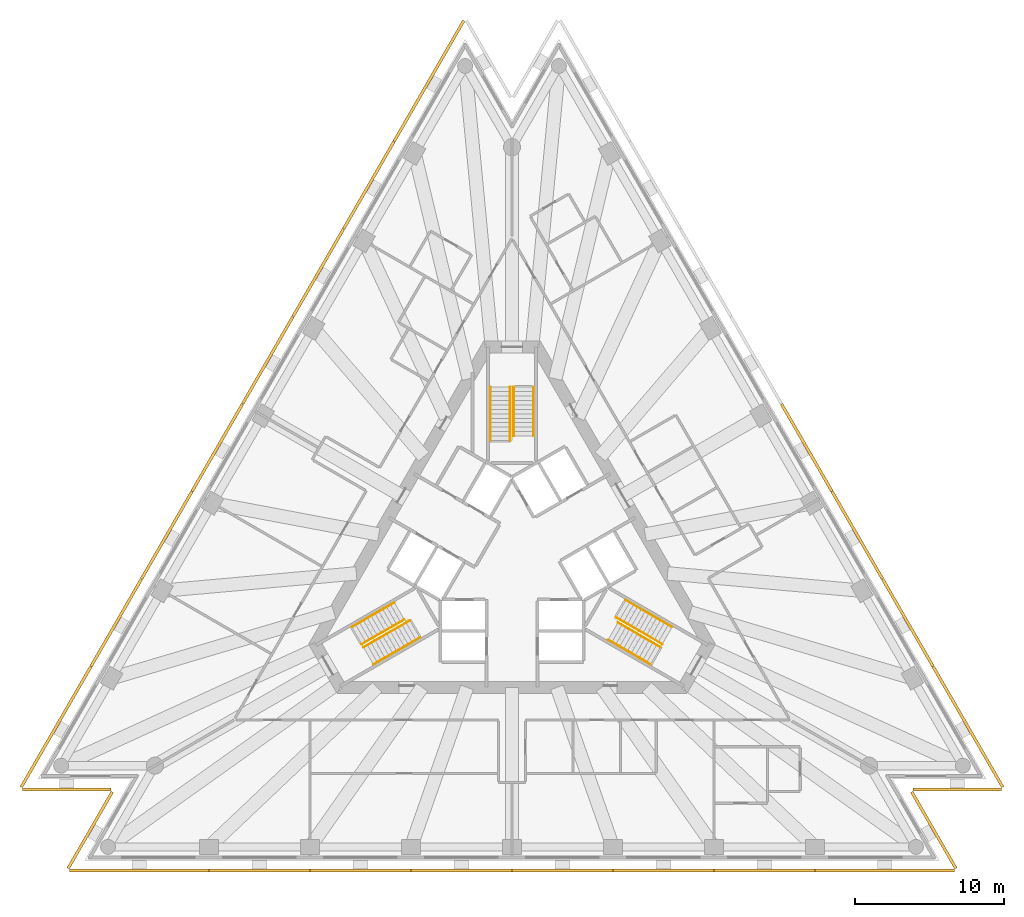
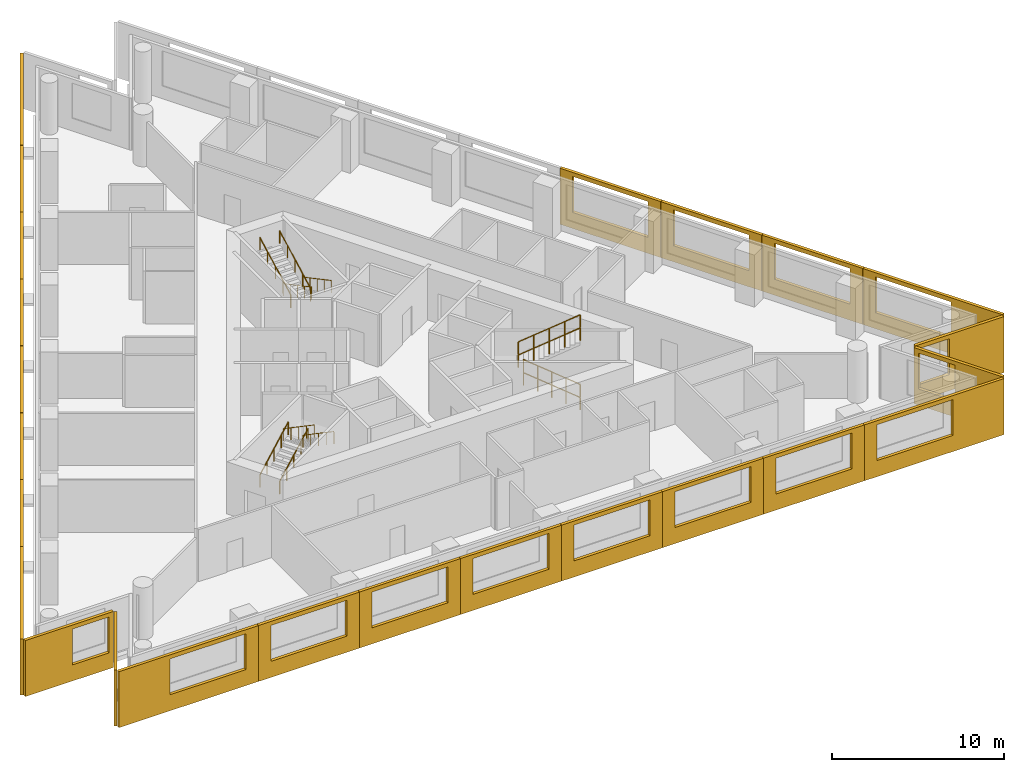
# One storey, part 8 of 9: 24 shading devices, 12 railings, 3 elements without a shape of their own.
"""IFC4 building model written with IfcOpenShell, lengths in metres."""

from ifc_helpers import new_model, si_unit, direction, frame, origin, origin_2d, place, context, subcontext, project, spatial, polyline, circle, outline, extrude, material, layer, layer_set, type_object, element, aggregate, save


model = new_model("IFC4")

# Units and contexts
model_context = context("Model", 3, precision=1e-05, world=origin(), true_north=direction((0.0, 1.0)))
body_context = subcontext(model_context, "Body", "Model", "MODEL_VIEW")
ifc_project = project(units=[si_unit("LENGTHUNIT", "METRE"), si_unit("AREAUNIT", "SQUARE_METRE"), si_unit("VOLUMEUNIT", "CUBIC_METRE"), si_unit("PLANEANGLEUNIT", "RADIAN"), si_unit("MASSUNIT", "GRAM", prefix="KILO")], contexts=[model_context])

# Site, building, storey
site_placement = place(None, origin())
site = spatial("IfcSite", under=ifc_project, at=site_placement, CompositionType="ELEMENT")
building_placement = place(site_placement, origin())
building = spatial("IfcBuilding", under=site, at=building_placement, Name="Triada Interchange Tower", CompositionType="ELEMENT")
storey_placement = place(building_placement, frame((0.0, 0.0, 136.300048828125)))
storey = spatial("IfcBuildingStorey", under=building, at=storey_placement, Name="L31", CompositionType="ELEMENT", Elevation=136.300048828125)

# Shading devices
ifc_material_1 = material(Name="Concrete C50/60 precast", Category="concrete")
ifc_layer_1 = layer(ifc_material_1, 0.02001953125, Name="Exposed aggregate face")
ifc_layer_2 = layer(ifc_material_1, 0.179931640625, Name="Precast concrete screen")
ifc_layer_set = layer_set([ifc_layer_1, ifc_layer_2], Name="Outer skin screen panel 3980")
shading_device_type = type_object("IfcShadingDeviceType", Name="Outer skin screen panel 3980", PredefinedType="SHUTTER", material=ifc_layer_set)
shading_device_1_placement = place(storey_placement, frame((-3.158935546875, 36.19189453125, -0.2900390625), z_axis=(0.0, 0.0, 1.0), x_axis=(-0.500022371132, -0.86601248742, 0.0)))
element("IfcShadingDevice", 1, at=shading_device_1_placement, inside=storey, type_object=shading_device_type, Name="Outer skin screen panel L31 01", PredefinedType="SHUTTER", context=body_context, shape_type="SweptSolid", body=[
    extrude(outline(polyline([(0.0, 0.0), (9.37158203125, 0.0), (9.37158203125, 3.97998046875), (0.0, 3.97998046875), (0.0, 0.0)]), holes=[polyline([(3.4345703125, 1.139892578125), (3.4345703125, 3.68994140625), (8.53466796875, 3.68994140625), (8.53466796875, 1.139892578125), (3.4345703125, 1.139892578125)])]), frame((0.0, 0.0, 0.0), z_axis=(0.0, -1.0, 0.0), x_axis=(1.0, 0.0, 0.0)), (0.0, 0.0, 1.0), 0.199951171875),
])
shading_device_2_placement = place(storey_placement, frame((-7.85498046875, 28.05908203125, -0.2900390625), z_axis=(0.0, 0.0, 1.0), x_axis=(-0.499949141057, -0.866054765218, 0.0)))
element("IfcShadingDevice", 2, at=shading_device_2_placement, inside=storey, type_object=shading_device_type, Name="Outer skin screen panel L31 02", PredefinedType="SHUTTER", context=body_context, shape_type="SweptSolid", body=[
    extrude(outline(polyline([(0.0, 0.0), (6.774658203125, 0.0), (6.774658203125, 3.97998046875), (0.0, 3.97998046875), (0.0, 0.0)]), holes=[polyline([(0.83642578125, 1.139892578125), (0.83642578125, 3.68994140625), (5.9365234375, 3.68994140625), (5.9365234375, 1.139892578125), (0.83642578125, 1.139892578125)])]), frame((0.0, 0.0, 0.0), z_axis=(0.0, -1.0, 0.0), x_axis=(1.0, 0.0, 0.0)), (0.0, 0.0, 1.0), 0.199951171875),
])
shading_device_3_placement = place(storey_placement, frame((-11.251953125, 22.175048828125, -0.2900390625), z_axis=(0.0, 0.0, 1.0), x_axis=(-0.499964745128, -0.866045757238, 0.0)))
element("IfcShadingDevice", 3, at=shading_device_3_placement, inside=storey, type_object=shading_device_type, Name="Outer skin screen panel L31 03", PredefinedType="SHUTTER", context=body_context, shape_type="SweptSolid", body=[
    extrude(outline(polyline([(0.0, 0.0), (6.7744140625, 0.0), (6.7744140625, 3.97998046875), (0.0, 3.97998046875), (0.0, 0.0)]), holes=[polyline([(0.836669921875, 1.139892578125), (0.836669921875, 3.68994140625), (5.9365234375, 3.68994140625), (5.9365234375, 1.139892578125), (0.836669921875, 1.139892578125)])]), frame((0.0, 0.0, 0.0), z_axis=(0.0, -1.0, 0.0), x_axis=(1.0, 0.0, 0.0)), (0.0, 0.0, 1.0), 0.199951171875),
])
shading_device_4_placement = place(storey_placement, frame((-14.64892578125, 16.291015625, -0.2900390625), z_axis=(0.0, 0.0, 1.0), x_axis=(-0.50002716953, -0.866009716881, 0.0)))
element("IfcShadingDevice", 4, at=shading_device_4_placement, inside=storey, type_object=shading_device_type, Name="Outer skin screen panel L31 04", PredefinedType="SHUTTER", context=body_context, shape_type="SweptSolid", body=[
    extrude(outline(polyline([(0.0, 0.0), (6.7734375, 0.0), (6.7734375, 3.97998046875), (0.0, 3.97998046875), (0.0, 0.0)]), holes=[polyline([(0.836669921875, 1.139892578125), (0.836669921875, 3.68994140625), (5.9365234375, 3.68994140625), (5.9365234375, 1.139892578125), (0.836669921875, 1.139892578125)])]), frame((0.0, 0.0, 0.0), z_axis=(0.0, -1.0, 0.0), x_axis=(1.0, 0.0, 0.0)), (0.0, 0.0, 1.0), 0.199951171875),
])
shading_device_5_placement = place(storey_placement, frame((-18.0458984375, 10.406982421875, -0.2900390625), z_axis=(0.0, 0.0, 1.0), x_axis=(-0.500054200212, -0.865994109016, 0.0)))
element("IfcShadingDevice", 5, at=shading_device_5_placement, inside=storey, type_object=shading_device_type, Name="Outer skin screen panel L31 05", PredefinedType="SHUTTER", context=body_context, shape_type="SweptSolid", body=[
    extrude(outline(polyline([(0.0, 0.0), (6.773681640625, 0.0), (6.773681640625, 3.97998046875), (0.0, 3.97998046875), (0.0, 0.0)]), holes=[polyline([(0.836669921875, 1.139892578125), (0.836669921875, 3.68994140625), (5.9365234375, 3.68994140625), (5.9365234375, 1.139892578125), (0.836669921875, 1.139892578125)])]), frame((0.0, 0.0, 0.0), z_axis=(0.0, -1.0, 0.0), x_axis=(1.0, 0.0, 0.0)), (0.0, 0.0, 1.0), 0.199951171875),
])
shading_device_6_placement = place(storey_placement, frame((-21.443115234375, 4.52392578125, -0.2900390625), z_axis=(0.0, 0.0, 1.0), x_axis=(-0.499964745128, -0.866045757238, 0.0)))
element("IfcShadingDevice", 6, at=shading_device_6_placement, inside=storey, type_object=shading_device_type, Name="Outer skin screen panel L31 06", PredefinedType="SHUTTER", context=body_context, shape_type="SweptSolid", body=[
    extrude(outline(polyline([(0.0, 0.0), (6.7744140625, 0.0), (6.7744140625, 3.97998046875), (0.0, 3.97998046875), (0.0, 0.0)]), holes=[polyline([(0.836669921875, 1.139892578125), (0.836669921875, 3.68994140625), (5.9365234375, 3.68994140625), (5.9365234375, 1.139892578125), (0.836669921875, 1.139892578125)])]), frame((0.0, 0.0, 0.0), z_axis=(0.0, -1.0, 0.0), x_axis=(1.0, 0.0, 0.0)), (0.0, 0.0, 1.0), 0.199951171875),
])
shading_device_7_placement = place(storey_placement, frame((-24.840087890625, -1.360107421875, -0.2900390625), z_axis=(0.0, 0.0, 1.0), x_axis=(-0.499964745128, -0.866045757238, 0.0)))
element("IfcShadingDevice", 7, at=shading_device_7_placement, inside=storey, type_object=shading_device_type, Name="Outer skin screen panel L31 07", PredefinedType="SHUTTER", context=body_context, shape_type="SweptSolid", body=[
    extrude(outline(polyline([(0.0, 0.0), (6.7744140625, 0.0), (6.7744140625, 3.97998046875), (0.0, 3.97998046875), (0.0, 0.0)]), holes=[polyline([(0.836669921875, 1.139892578125), (0.836669921875, 3.68994140625), (5.936767578125, 3.68994140625), (5.936767578125, 1.139892578125), (0.836669921875, 1.139892578125)])]), frame((0.0, 0.0, 0.0), z_axis=(0.0, -1.0, 0.0), x_axis=(1.0, 0.0, 0.0)), (0.0, 0.0, 1.0), 0.199951171875),
])
shading_device_8_placement = place(storey_placement, frame((-28.237060546875, -7.243896484375, -0.2900390625), z_axis=(0.0, 0.0, 1.0), x_axis=(-0.500011090606, -0.866019000526, 0.0)))
element("IfcShadingDevice", 8, at=shading_device_8_placement, inside=storey, type_object=shading_device_type, Name="Outer skin screen panel L31 08", PredefinedType="SHUTTER", context=body_context, shape_type="SweptSolid", body=[
    extrude(outline(polyline([(0.0, 0.0), (9.371826171875, 0.0), (9.371826171875, 3.97998046875), (0.0, 3.97998046875), (0.0, 0.0)]), holes=[polyline([(0.836669921875, 1.139892578125), (0.836669921875, 3.68994140625), (5.936767578125, 3.68994140625), (5.936767578125, 1.139892578125), (0.836669921875, 1.139892578125)])]), frame((0.0, 0.0, 0.0), z_axis=(0.0, -1.0, 0.0), x_axis=(1.0, 0.0, 0.0)), (0.0, 0.0, 1.0), 0.199951171875),
])
shading_device_9_placement = place(storey_placement, frame((-32.91796875, -15.368896484375, -0.2900390625), z_axis=(0.0, 0.0, 1.0), x_axis=(1.0, 0.0, 0.0)))
element("IfcShadingDevice", 9, at=shading_device_9_placement, inside=storey, type_object=shading_device_type, Name="Outer skin screen panel L31 09", PredefinedType="SHUTTER", context=body_context, shape_type="SweptSolid", body=[
    extrude(outline(polyline([(0.0, 0.0), (5.94091796875, 0.0), (5.94091796875, 3.97998046875), (0.0, 3.97998046875), (0.0, 0.0)]), holes=[polyline([(3.175048828125, 1.139892578125), (3.175048828125, 3.68994140625), (5.64111328125, 3.68994140625), (5.64111328125, 1.139892578125), (3.175048828125, 1.139892578125)])]), frame((0.0, 0.0, 0.0), z_axis=(0.0, -1.0, 0.0), x_axis=(1.0, 0.0, 0.0)), (0.0, 0.0, 1.0), 0.199951171875),
])
shading_device_10_placement = place(storey_placement, frame((-26.799072265625, -15.677978515625, -0.2900390625), z_axis=(0.0, 0.0, 1.0), x_axis=(-0.499935901642, -0.866062407826, 0.0)))
element("IfcShadingDevice", 10, at=shading_device_10_placement, inside=storey, type_object=shading_device_type, Name="Outer skin screen panel L31 10", PredefinedType="SHUTTER", context=body_context, shape_type="SweptSolid", body=[
    extrude(outline(polyline([(0.0, 0.0), (5.940673828125, 0.0), (5.940673828125, 3.97998046875), (0.0, 3.97998046875), (0.0, 0.0)]), holes=[polyline([(0.300048828125, 1.139892578125), (0.300048828125, 3.68994140625), (2.2578125, 3.68994140625), (2.2578125, 1.139892578125), (0.300048828125, 1.139892578125)])]), frame((0.0, 0.0, 0.0), z_axis=(0.0, -1.0, 0.0), x_axis=(1.0, 0.0, 0.0)), (0.0, 0.0, 1.0), 0.199951171875),
])
shading_device_11_placement = place(storey_placement, frame((-29.763916015625, -20.83203125, -0.2900390625), z_axis=(0.0, 0.0, 1.0), x_axis=(1.0, 0.0, 0.0)))
element("IfcShadingDevice", 11, at=shading_device_11_placement, inside=storey, type_object=shading_device_type, Name="Outer skin screen panel L31 11", PredefinedType="SHUTTER", context=body_context, shape_type="SweptSolid", body=[
    extrude(outline(polyline([(0.0, 0.0), (9.371826171875, 0.0), (9.371826171875, 3.97998046875), (0.0, 3.97998046875), (0.0, 0.0)]), holes=[polyline([(3.43505859375, 1.139892578125), (3.43505859375, 3.68994140625), (8.534912109375, 3.68994140625), (8.534912109375, 1.139892578125), (3.43505859375, 1.139892578125)])]), frame((0.0, 0.0, 0.0), z_axis=(0.0, -1.0, 0.0), x_axis=(1.0, 0.0, 0.0)), (0.0, 0.0, 1.0), 0.199951171875),
])
shading_device_12_placement = place(storey_placement, frame((-20.3720703125, -20.83203125, -0.2900390625), z_axis=(0.0, 0.0, 1.0), x_axis=(1.0, 0.0, 0.0)))
element("IfcShadingDevice", 12, at=shading_device_12_placement, inside=storey, type_object=shading_device_type, Name="Outer skin screen panel L31 12", PredefinedType="SHUTTER", context=body_context, shape_type="SweptSolid", body=[
    extrude(outline(polyline([(0.0, 0.0), (6.774169921875, 0.0), (6.774169921875, 3.97998046875), (0.0, 3.97998046875), (0.0, 0.0)]), holes=[polyline([(0.8369140625, 1.139892578125), (0.8369140625, 3.68994140625), (5.93701171875, 3.68994140625), (5.93701171875, 1.139892578125), (0.8369140625, 1.139892578125)])]), frame((0.0, 0.0, 0.0), z_axis=(0.0, -1.0, 0.0), x_axis=(1.0, 0.0, 0.0)), (0.0, 0.0, 1.0), 0.199951171875),
])
for number, where, z_axis, x_axis, name in (
    (13, (-13.577880859375, -20.83203125, -0.2900390625), (0.0, 0.0, 1.0), (1.0, 0.0, 0.0), "Outer skin screen panel L31 13"),
    (14, (-6.783935546875, -20.83203125, -0.2900390625), (0.0, 0.0, 1.0), (1.0, 0.0, 0.0), "Outer skin screen panel L31 14"),
    (15, (0.010009765625, -20.83203125, -0.2900390625), (0.0, 0.0, 1.0), (1.0, 0.0, 0.0), "Outer skin screen panel L31 15"),
    (16, (6.803955078125, -20.83203125, -0.2900390625), (0.0, 0.0, 1.0), (1.0, 0.0, 0.0), "Outer skin screen panel L31 16"),
):
    element("IfcShadingDevice", number, at=place(storey_placement, frame(where, z_axis=z_axis, x_axis=x_axis)), inside=storey, type_object=shading_device_type, Name=name, PredefinedType="SHUTTER", context=body_context, shape_type="SweptSolid", body=[
        extrude(outline(polyline([(0.0, 0.0), (6.77392578125, 0.0), (6.77392578125, 3.97998046875), (0.0, 3.97998046875), (0.0, 0.0)]), holes=[polyline([(0.8369140625, 1.139892578125), (0.8369140625, 3.68994140625), (5.93701171875, 3.68994140625), (5.93701171875, 1.139892578125), (0.8369140625, 1.139892578125)])]), frame((0.0, 0.0, 0.0), z_axis=(0.0, -1.0, 0.0), x_axis=(1.0, 0.0, 0.0)), (0.0, 0.0, 1.0), 0.199951171875),
    ])
shading_device_13_placement = place(storey_placement, frame((13.597900390625, -20.83203125, -0.2900390625), z_axis=(0.0, 0.0, 1.0), x_axis=(1.0, 0.0, 0.0)))
element("IfcShadingDevice", 17, at=shading_device_13_placement, inside=storey, type_object=shading_device_type, Name="Outer skin screen panel L31 17", PredefinedType="SHUTTER", context=body_context, shape_type="SweptSolid", body=[
    extrude(outline(polyline([(0.0, 0.0), (6.774169921875, 0.0), (6.774169921875, 3.97998046875), (0.0, 3.97998046875), (0.0, 0.0)]), holes=[polyline([(0.8369140625, 1.139892578125), (0.8369140625, 3.68994140625), (5.93701171875, 3.68994140625), (5.93701171875, 1.139892578125), (0.8369140625, 1.139892578125)])]), frame((0.0, 0.0, 0.0), z_axis=(0.0, -1.0, 0.0), x_axis=(1.0, 0.0, 0.0)), (0.0, 0.0, 1.0), 0.199951171875),
])
shading_device_14_placement = place(storey_placement, frame((20.39208984375, -20.83203125, -0.2900390625), z_axis=(0.0, 0.0, 1.0), x_axis=(1.0, 0.0, 0.0)))
element("IfcShadingDevice", 18, at=shading_device_14_placement, inside=storey, type_object=shading_device_type, Name="Outer skin screen panel L31 18", PredefinedType="SHUTTER", context=body_context, shape_type="SweptSolid", body=[
    extrude(outline(polyline([(0.0, 0.0), (9.371826171875, 0.0), (9.371826171875, 3.97998046875), (0.0, 3.97998046875), (0.0, 0.0)]), holes=[polyline([(0.8369140625, 1.139892578125), (0.8369140625, 3.68994140625), (5.93701171875, 3.68994140625), (5.93701171875, 1.139892578125), (0.8369140625, 1.139892578125)])]), frame((0.0, 0.0, 0.0), z_axis=(0.0, -1.0, 0.0), x_axis=(1.0, 0.0, 0.0)), (0.0, 0.0, 1.0), 0.199951171875),
])
shading_device_15_placement = place(storey_placement, frame((29.76904296875, -20.822998046875, -0.2900390625), z_axis=(0.0, 0.0, 1.0), x_axis=(-0.499935901642, 0.866062407826, 0.0)))
element("IfcShadingDevice", 19, at=shading_device_15_placement, inside=storey, type_object=shading_device_type, Name="Outer skin screen panel L31 19", PredefinedType="SHUTTER", context=body_context, shape_type="SweptSolid", body=[
    extrude(outline(polyline([(0.0, 0.0), (5.940673828125, 0.0), (5.940673828125, 3.97998046875), (0.0, 3.97998046875), (0.0, 0.0)]), holes=[polyline([(3.17529296875, 1.139892578125), (3.17529296875, 3.68994140625), (5.641357421875, 3.68994140625), (5.641357421875, 1.139892578125), (3.17529296875, 1.139892578125)])]), frame((0.0, 0.0, 0.0), z_axis=(0.0, -1.0, 0.0), x_axis=(1.0, 0.0, 0.0)), (0.0, 0.0, 1.0), 0.199951171875),
])
shading_device_16_placement = place(storey_placement, frame((26.97705078125, -15.368896484375, -0.2900390625), z_axis=(0.0, 0.0, 1.0), x_axis=(1.0, 0.0, 0.0)))
element("IfcShadingDevice", 20, at=shading_device_16_placement, inside=storey, type_object=shading_device_type, Name="Outer skin screen panel L31 20", PredefinedType="SHUTTER", context=body_context, shape_type="SweptSolid", body=[
    extrude(outline(polyline([(0.0, 0.0), (5.94091796875, 0.0), (5.94091796875, 3.97998046875), (0.0, 3.97998046875), (0.0, 0.0)]), holes=[polyline([(0.300048828125, 1.139892578125), (0.300048828125, 3.68994140625), (2.258056640625, 3.68994140625), (2.258056640625, 1.139892578125), (0.300048828125, 1.139892578125)])]), frame((0.0, 0.0, 0.0), z_axis=(0.0, -1.0, 0.0), x_axis=(1.0, 0.0, 0.0)), (0.0, 0.0, 1.0), 0.199951171875),
])
shading_device_17_placement = place(storey_placement, frame((32.923095703125, -15.360107421875, -0.2900390625), z_axis=(0.0, 0.0, 1.0), x_axis=(-0.500011090606, 0.866019000526, 0.0)))
element("IfcShadingDevice", 21, at=shading_device_17_placement, inside=storey, type_object=shading_device_type, Name="Outer skin screen panel L31 21", PredefinedType="SHUTTER", context=body_context, shape_type="SweptSolid", body=[
    extrude(outline(polyline([(0.0, 0.0), (9.371826171875, 0.0), (9.371826171875, 3.97998046875), (0.0, 3.97998046875), (0.0, 0.0)]), holes=[polyline([(3.435302734375, 1.139892578125), (3.435302734375, 3.68994140625), (8.535400390625, 3.68994140625), (8.535400390625, 1.139892578125), (3.435302734375, 1.139892578125)])]), frame((0.0, 0.0, 0.0), z_axis=(0.0, -1.0, 0.0), x_axis=(1.0, 0.0, 0.0)), (0.0, 0.0, 1.0), 0.199951171875),
])
for number, where, z_axis, x_axis, name in (
    (22, (28.22705078125, -7.22705078125, -0.2900390625), (0.0, 0.0, 1.0), (-0.499964745128, 0.866045757238, 0.0), "Outer skin screen panel L31 22"),
    (23, (24.830078125, -1.343017578125, -0.2900390625), (0.0, 0.0, 1.0), (-0.499964745128, 0.866045757238, 0.0), "Outer skin screen panel L31 23"),
):
    element("IfcShadingDevice", number, at=place(storey_placement, frame(where, z_axis=z_axis, x_axis=x_axis)), inside=storey, type_object=shading_device_type, Name=name, PredefinedType="SHUTTER", context=body_context, shape_type="SweptSolid", body=[
        extrude(outline(polyline([(0.0, 0.0), (6.7744140625, 0.0), (6.7744140625, 3.97998046875), (0.0, 3.97998046875), (0.0, 0.0)]), holes=[polyline([(0.83740234375, 1.139892578125), (0.83740234375, 3.68994140625), (5.937255859375, 3.68994140625), (5.937255859375, 1.139892578125), (0.83740234375, 1.139892578125)])]), frame((0.0, 0.0, 0.0), z_axis=(0.0, -1.0, 0.0), x_axis=(1.0, 0.0, 0.0)), (0.0, 0.0, 1.0), 0.199951171875),
    ])
shading_device_18_placement = place(storey_placement, frame((21.43310546875, 4.541015625, -0.2900390625), z_axis=(0.0, 0.0, 1.0), x_axis=(-0.500054200212, 0.865994109016, 0.0)))
element("IfcShadingDevice", 24, at=shading_device_18_placement, inside=storey, type_object=shading_device_type, Name="Outer skin screen panel L31 24", PredefinedType="SHUTTER", context=body_context, shape_type="SweptSolid", body=[
    extrude(outline(polyline([(0.0, 0.0), (6.773681640625, 0.0), (6.773681640625, 3.97998046875), (0.0, 3.97998046875), (0.0, 0.0)]), holes=[polyline([(0.83740234375, 1.139892578125), (0.83740234375, 3.68994140625), (5.937255859375, 3.68994140625), (5.937255859375, 1.139892578125), (0.83740234375, 1.139892578125)])]), frame((0.0, 0.0, 0.0), z_axis=(0.0, -1.0, 0.0), x_axis=(1.0, 0.0, 0.0)), (0.0, 0.0, 1.0), 0.199951171875),
])

# Stair, railings
ifc_material_2 = material(Name="Concrete C35/45", Category="concrete")
stair_type = type_object("IfcStairType", Name="HALF TURN STAIR 1400", PredefinedType="HALF_TURN_STAIR", material=ifc_material_2)
stair_1_placement = place(storey_placement, origin())
stair_1 = element("IfcStair", 25, at=stair_1_placement, inside=storey, type_object=stair_type, Name="Exit stair S29-1", PredefinedType="HALF_TURN_STAIR")
ifc_material_3 = material(Name="Stainless steel 1.4301", Category="steel")
railing_type = type_object("IfcRailingType", Name="STAIR HANDRAIL 900", PredefinedType="HANDRAIL", material=ifc_material_3)
railing_1_placement = place(storey_placement, frame((1.449951171875, 11.60009765625, 0.159912109375)))
railing_1 = element("IfcRailing", 26, at=railing_1_placement, type_object=railing_type, Name="Handrail S29-1 1W", PredefinedType="HANDRAIL", context=body_context, shape_type="SweptSolid", body=[
    extrude(circle(Radius=0.02392578125, at=origin_2d()), frame((0.0, 0.0, 0.8759765625), z_axis=(0.0, -0.882354748157, 0.47058484719), x_axis=(1.0, 0.0, 0.0)), (0.0, 0.0, 1.0), 3.739990234375),
    extrude(circle(Radius=0.02099609375, at=origin_2d()), origin(), (0.0, 0.0, 1.0), 0.851806640625),
    extrude(circle(Radius=0.02099609375, at=origin_2d()), frame((0.0, -0.824951171875, 0.43994140625)), (0.0, 0.0, 1.0), 0.851806640625),
    extrude(circle(Radius=0.02099609375, at=origin_2d()), frame((0.0, -1.64990234375, 0.8798828125)), (0.0, 0.0, 1.0), 0.851806640625),
    extrude(circle(Radius=0.02099609375, at=origin_2d()), frame((0.0, -2.47509765625, 1.320068359375)), (0.0, 0.0, 1.0), 0.851806640625),
    extrude(circle(Radius=0.02099609375, at=origin_2d()), frame((0.0, -3.300048828125, 1.760009765625)), (0.0, 0.0, 1.0), 0.851806640625),
])
railing_2_placement = place(storey_placement, frame((0.1201171875, 11.60009765625, 0.159912109375)))
railing_2 = element("IfcRailing", 27, at=railing_2_placement, type_object=railing_type, Name="Handrail S29-1 1C", PredefinedType="HANDRAIL", context=body_context, shape_type="SweptSolid", body=[
    extrude(circle(Radius=0.02392578125, at=origin_2d()), frame((0.0, 0.0, 0.8759765625), z_axis=(0.0, -0.882354748157, 0.47058484719), x_axis=(1.0, 0.0, 0.0)), (0.0, 0.0, 1.0), 3.739990234375),
    extrude(circle(Radius=0.02099609375, at=origin_2d()), origin(), (0.0, 0.0, 1.0), 0.851806640625),
    extrude(circle(Radius=0.02099609375, at=origin_2d()), frame((0.0, -0.824951171875, 0.43994140625)), (0.0, 0.0, 1.0), 0.851806640625),
    extrude(circle(Radius=0.02099609375, at=origin_2d()), frame((0.0, -1.64990234375, 0.8798828125)), (0.0, 0.0, 1.0), 0.851806640625),
    extrude(circle(Radius=0.02099609375, at=origin_2d()), frame((0.0, -2.47509765625, 1.320068359375)), (0.0, 0.0, 1.0), 0.851806640625),
    extrude(circle(Radius=0.02099609375, at=origin_2d()), frame((0.0, -3.300048828125, 1.760009765625)), (0.0, 0.0, 1.0), 0.851806640625),
])
railing_3_placement = place(storey_placement, frame((-1.449951171875, 8.0, 2.079833984375)))
railing_3 = element("IfcRailing", 28, at=railing_3_placement, type_object=railing_type, Name="Handrail S29-1 2W", PredefinedType="HANDRAIL", context=body_context, shape_type="SweptSolid", body=[
    extrude(circle(Radius=0.02392578125, at=origin_2d()), frame((0.0, 0.0, 0.8759765625), z_axis=(0.0, 0.882341346394, 0.470609974867), x_axis=(-1.0, 0.0, 0.0)), (0.0, 0.0, 1.0), 4.080078125),
    extrude(circle(Radius=0.02099609375, at=origin_2d()), origin(), (0.0, 0.0, 1.0), 0.851806640625),
    extrude(circle(Radius=0.02099609375, at=origin_2d()), frame((0.0, 0.89990234375, 0.47998046875)), (0.0, 0.0, 1.0), 0.851806640625),
    extrude(circle(Radius=0.02099609375, at=origin_2d()), frame((0.0, 1.800048828125, 0.9599609375)), (0.0, 0.0, 1.0), 0.851806640625),
    extrude(circle(Radius=0.02099609375, at=origin_2d()), frame((0.0, 2.7001953125, 1.440185546875)), (0.0, 0.0, 1.0), 0.851806640625),
    extrude(circle(Radius=0.02099609375, at=origin_2d()), frame((0.0, 3.60009765625, 1.920166015625)), (0.0, 0.0, 1.0), 0.851806640625),
])
railing_4_placement = place(storey_placement, frame((-0.1201171875, 8.0, 2.079833984375)))
railing_4 = element("IfcRailing", 29, at=railing_4_placement, type_object=railing_type, Name="Handrail S29-1 2C", PredefinedType="HANDRAIL", context=body_context, shape_type="SweptSolid", body=[
    extrude(circle(Radius=0.02392578125, at=origin_2d()), frame((0.0, 0.0, 0.8759765625), z_axis=(0.0, 0.882341346394, 0.470609974867), x_axis=(-1.0, 0.0, 0.0)), (0.0, 0.0, 1.0), 4.080078125),
    extrude(circle(Radius=0.02099609375, at=origin_2d()), origin(), (0.0, 0.0, 1.0), 0.851806640625),
    extrude(circle(Radius=0.02099609375, at=origin_2d()), frame((0.0, 0.89990234375, 0.47998046875)), (0.0, 0.0, 1.0), 0.851806640625),
    extrude(circle(Radius=0.02099609375, at=origin_2d()), frame((0.0, 1.800048828125, 0.9599609375)), (0.0, 0.0, 1.0), 0.851806640625),
    extrude(circle(Radius=0.02099609375, at=origin_2d()), frame((0.0, 2.7001953125, 1.440185546875)), (0.0, 0.0, 1.0), 0.851806640625),
    extrude(circle(Radius=0.02099609375, at=origin_2d()), frame((0.0, 3.60009765625, 1.920166015625)), (0.0, 0.0, 1.0), 0.851806640625),
])
aggregate(stair_1, [railing_1, railing_2, railing_3, railing_4])

stair_2_placement = place(storey_placement, origin())
stair_2 = element("IfcStair", 30, at=stair_2_placement, inside=storey, type_object=stair_type, Name="Exit stair S29-2", PredefinedType="HALF_TURN_STAIR")
railing_5_placement = place(storey_placement, frame((-10.77099609375, -4.5439453125, 0.159912109375)))
railing_5 = element("IfcRailing", 31, at=railing_5_placement, type_object=railing_type, Name="Handrail S29-2 1W", PredefinedType="HANDRAIL", context=body_context, shape_type="SweptSolid", body=[
    extrude(circle(Radius=0.02392578125, at=origin_2d()), frame((0.0, 0.0, 0.8759765625), z_axis=(0.764150854273, 0.441152526326, 0.470593158077), x_axis=(-0.499974350878, 0.866040211805, 0.0)), (0.0, 0.0, 1.0), 3.739990234375),
    extrude(circle(Radius=0.02099609375, at=origin_2d()), origin(), (0.0, 0.0, 1.0), 0.851806640625),
    extrude(circle(Radius=0.02099609375, at=origin_2d()), frame((0.71435546875, 0.41259765625, 0.43994140625)), (0.0, 0.0, 1.0), 0.851806640625),
    extrude(circle(Radius=0.02099609375, at=origin_2d()), frame((1.428955078125, 0.824951171875, 0.8798828125)), (0.0, 0.0, 1.0), 0.851806640625),
    extrude(circle(Radius=0.02099609375, at=origin_2d()), frame((2.1435546875, 1.2373046875, 1.320068359375)), (0.0, 0.0, 1.0), 0.851806640625),
    extrude(circle(Radius=0.02099609375, at=origin_2d()), frame((2.85791015625, 1.64990234375, 1.760009765625)), (0.0, 0.0, 1.0), 0.851806640625),
])
railing_6_placement = place(storey_placement, frame((-10.10595703125, -5.696044921875, 0.159912109375)))
railing_6 = element("IfcRailing", 32, at=railing_6_placement, type_object=railing_type, Name="Handrail S29-2 1C", PredefinedType="HANDRAIL", context=body_context, shape_type="SweptSolid", body=[
    extrude(circle(Radius=0.02392578125, at=origin_2d()), frame((0.0, 0.0, 0.8759765625), z_axis=(0.76412884773, 0.441205098395, 0.470579605611), x_axis=(-0.50002983664, 0.866008176907, 0.0)), (0.0, 0.0, 1.0), 3.739990234375),
    extrude(circle(Radius=0.02099609375, at=origin_2d()), origin(), (0.0, 0.0, 1.0), 0.851806640625),
    extrude(circle(Radius=0.02099609375, at=origin_2d()), frame((0.71435546875, 0.41259765625, 0.43994140625)), (0.0, 0.0, 1.0), 0.851806640625),
    extrude(circle(Radius=0.02099609375, at=origin_2d()), frame((1.428955078125, 0.8251953125, 0.8798828125)), (0.0, 0.0, 1.0), 0.851806640625),
    extrude(circle(Radius=0.02099609375, at=origin_2d()), frame((2.1435546875, 1.237548828125, 1.320068359375)), (0.0, 0.0, 1.0), 0.851806640625),
    extrude(circle(Radius=0.02099609375, at=origin_2d()), frame((2.85791015625, 1.650146484375, 1.760009765625)), (0.0, 0.0, 1.0), 0.851806640625),
])
railing_7_placement = place(storey_placement, frame((-6.202880859375, -5.256103515625, 2.079833984375)))
railing_7 = element("IfcRailing", 33, at=railing_7_placement, type_object=railing_type, Name="Handrail S29-2 2W", PredefinedType="HANDRAIL", context=body_context, shape_type="SweptSolid", body=[
    extrude(circle(Radius=0.02392578125, at=origin_2d()), frame((0.0, 0.0, 0.8759765625), z_axis=(-0.764189758314, -0.441090424232, 0.470588196769), x_axis=(0.499902469156, -0.866081705922, 0.0)), (0.0, 0.0, 1.0), 4.080322265625),
    extrude(circle(Radius=0.02099609375, at=origin_2d()), origin(), (0.0, 0.0, 1.0), 0.851806640625),
    extrude(circle(Radius=0.02099609375, at=origin_2d()), frame((-0.779541015625, -0.449951171875, 0.47998046875)), (0.0, 0.0, 1.0), 0.851806640625),
    extrude(circle(Radius=0.02099609375, at=origin_2d()), frame((-1.55908203125, -0.89990234375, 0.9599609375)), (0.0, 0.0, 1.0), 0.851806640625),
    extrude(circle(Radius=0.02099609375, at=origin_2d()), frame((-2.338623046875, -1.349853515625, 1.440185546875)), (0.0, 0.0, 1.0), 0.851806640625),
    extrude(circle(Radius=0.02099609375, at=origin_2d()), frame((-3.1181640625, -1.7998046875, 1.920166015625)), (0.0, 0.0, 1.0), 0.851806640625),
])
railing_8_placement = place(storey_placement, frame((-6.867919921875, -4.10400390625, 2.079833984375)))
railing_8 = element("IfcRailing", 34, at=railing_8_placement, type_object=railing_type, Name="Handrail S29-2 2C", PredefinedType="HANDRAIL", context=body_context, shape_type="SweptSolid", body=[
    extrude(circle(Radius=0.02392578125, at=origin_2d()), frame((0.0, 0.0, 0.8759765625), z_axis=(-0.764169589359, -0.441138614339, 0.470575776723), x_axis=(0.49995333141, -0.866052346231, 0.0)), (0.0, 0.0, 1.0), 4.08056640625),
    extrude(circle(Radius=0.02099609375, at=origin_2d()), origin(), (0.0, 0.0, 1.0), 0.851806640625),
    extrude(circle(Radius=0.02099609375, at=origin_2d()), frame((-0.779541015625, -0.449951171875, 0.47998046875)), (0.0, 0.0, 1.0), 0.851806640625),
    extrude(circle(Radius=0.02099609375, at=origin_2d()), frame((-1.55908203125, -0.89990234375, 0.9599609375)), (0.0, 0.0, 1.0), 0.851806640625),
    extrude(circle(Radius=0.02099609375, at=origin_2d()), frame((-2.338623046875, -1.35009765625, 1.440185546875)), (0.0, 0.0, 1.0), 0.851806640625),
    extrude(circle(Radius=0.02099609375, at=origin_2d()), frame((-3.1181640625, -1.800048828125, 1.920166015625)), (0.0, 0.0, 1.0), 0.851806640625),
])
aggregate(stair_2, [railing_5, railing_6, railing_7, railing_8])

stair_3_placement = place(storey_placement, origin())
stair_3 = element("IfcStair", 35, at=stair_3_placement, inside=storey, type_object=stair_type, Name="Exit stair S29-3", PredefinedType="HALF_TURN_STAIR")
railing_9_placement = place(storey_placement, frame((9.321044921875, -7.055908203125, 0.159912109375)))
railing_9 = element("IfcRailing", 36, at=railing_9_placement, type_object=railing_type, Name="Handrail S29-3 1W", PredefinedType="HANDRAIL", context=body_context, shape_type="SweptSolid", body=[
    extrude(circle(Radius=0.02392578125, at=origin_2d()), frame((0.0, 0.0, 0.8759765625), z_axis=(-0.764178012919, 0.441130521168, 0.470569684388), x_axis=(-0.499942318283, -0.866058703778, 0.0)), (0.0, 0.0, 1.0), 3.740234375),
    extrude(circle(Radius=0.02099609375, at=origin_2d()), origin(), (0.0, 0.0, 1.0), 0.851806640625),
    extrude(circle(Radius=0.02099609375, at=origin_2d()), frame((-0.714599609375, 0.41259765625, 0.43994140625)), (0.0, 0.0, 1.0), 0.851806640625),
    extrude(circle(Radius=0.02099609375, at=origin_2d()), frame((-1.42919921875, 0.824951171875, 0.8798828125)), (0.0, 0.0, 1.0), 0.851806640625),
    extrude(circle(Radius=0.02099609375, at=origin_2d()), frame((-2.1435546875, 1.2373046875, 1.320068359375)), (0.0, 0.0, 1.0), 0.851806640625),
    extrude(circle(Radius=0.02099609375, at=origin_2d()), frame((-2.858154296875, 1.64990234375, 1.760009765625)), (0.0, 0.0, 1.0), 0.851806640625),
])
railing_10_placement = place(storey_placement, frame((9.986083984375, -5.904052734375, 0.159912109375)))
railing_10 = element("IfcRailing", 37, at=railing_10_placement, type_object=railing_type, Name="Handrail S29-3 1C", PredefinedType="HANDRAIL", context=body_context, shape_type="SweptSolid", body=[
    extrude(circle(Radius=0.02392578125, at=origin_2d()), frame((0.0, 0.0, 0.8759765625), z_axis=(-0.764156007789, 0.441183091881, 0.47055613395), x_axis=(-0.49999780286, -0.8660266723, 0.0)), (0.0, 0.0, 1.0), 3.740234375),
    extrude(circle(Radius=0.02099609375, at=origin_2d()), origin(), (0.0, 0.0, 1.0), 0.851806640625),
    extrude(circle(Radius=0.02099609375, at=origin_2d()), frame((-0.714599609375, 0.41259765625, 0.43994140625)), (0.0, 0.0, 1.0), 0.851806640625),
    extrude(circle(Radius=0.02099609375, at=origin_2d()), frame((-1.42919921875, 0.8251953125, 0.8798828125)), (0.0, 0.0, 1.0), 0.851806640625),
    extrude(circle(Radius=0.02099609375, at=origin_2d()), frame((-2.1435546875, 1.237548828125, 1.320068359375)), (0.0, 0.0, 1.0), 0.851806640625),
    extrude(circle(Radius=0.02099609375, at=origin_2d()), frame((-2.858154296875, 1.650146484375, 1.760009765625)), (0.0, 0.0, 1.0), 0.851806640625),
])
railing_11_placement = place(storey_placement, frame((7.653076171875, -2.743896484375, 2.079833984375)))
railing_11 = element("IfcRailing", 38, at=railing_11_placement, type_object=railing_type, Name="Handrail S29-3 2W", PredefinedType="HANDRAIL", context=body_context, shape_type="SweptSolid", body=[
    extrude(circle(Radius=0.02392578125, at=origin_2d()), frame((0.0, 0.0, 0.8759765625), z_axis=(0.76414469501, -0.441158784458, 0.470597292793), x_axis=(0.499982693035, 0.866035395735, 0.0)), (0.0, 0.0, 1.0), 4.080322265625),
    extrude(circle(Radius=0.02099609375, at=origin_2d()), origin(), (0.0, 0.0, 1.0), 0.851806640625),
    extrude(circle(Radius=0.02099609375, at=origin_2d()), frame((0.779541015625, -0.449951171875, 0.47998046875)), (0.0, 0.0, 1.0), 0.851806640625),
    extrude(circle(Radius=0.02099609375, at=origin_2d()), frame((1.55908203125, -0.89990234375, 0.9599609375)), (0.0, 0.0, 1.0), 0.851806640625),
    extrude(circle(Radius=0.02099609375, at=origin_2d()), frame((2.33837890625, -1.35009765625, 1.440185546875)), (0.0, 0.0, 1.0), 0.851806640625),
    extrude(circle(Radius=0.02099609375, at=origin_2d()), frame((3.117919921875, -1.800048828125, 1.920166015625)), (0.0, 0.0, 1.0), 0.851806640625),
])
railing_12_placement = place(storey_placement, frame((6.988037109375, -3.89599609375, 2.079833984375)))
railing_12 = element("IfcRailing", 39, at=railing_12_placement, type_object=railing_type, Name="Handrail S29-3 2C", PredefinedType="HANDRAIL", context=body_context, shape_type="SweptSolid", body=[
    extrude(circle(Radius=0.02392578125, at=origin_2d()), frame((0.0, 0.0, 0.8759765625), z_axis=(0.76414469501, -0.441158784458, 0.470597292793), x_axis=(0.499982693035, 0.866035395735, 0.0)), (0.0, 0.0, 1.0), 4.080322265625),
    extrude(circle(Radius=0.02099609375, at=origin_2d()), origin(), (0.0, 0.0, 1.0), 0.851806640625),
    extrude(circle(Radius=0.02099609375, at=origin_2d()), frame((0.779541015625, -0.449951171875, 0.47998046875)), (0.0, 0.0, 1.0), 0.851806640625),
    extrude(circle(Radius=0.02099609375, at=origin_2d()), frame((1.55908203125, -0.89990234375, 0.9599609375)), (0.0, 0.0, 1.0), 0.851806640625),
    extrude(circle(Radius=0.02099609375, at=origin_2d()), frame((2.33837890625, -1.35009765625, 1.440185546875)), (0.0, 0.0, 1.0), 0.851806640625),
    extrude(circle(Radius=0.02099609375, at=origin_2d()), frame((3.117919921875, -1.800048828125, 1.920166015625)), (0.0, 0.0, 1.0), 0.851806640625),
])
aggregate(stair_3, [railing_9, railing_10, railing_11, railing_12])

save(model, "model.ifc")
